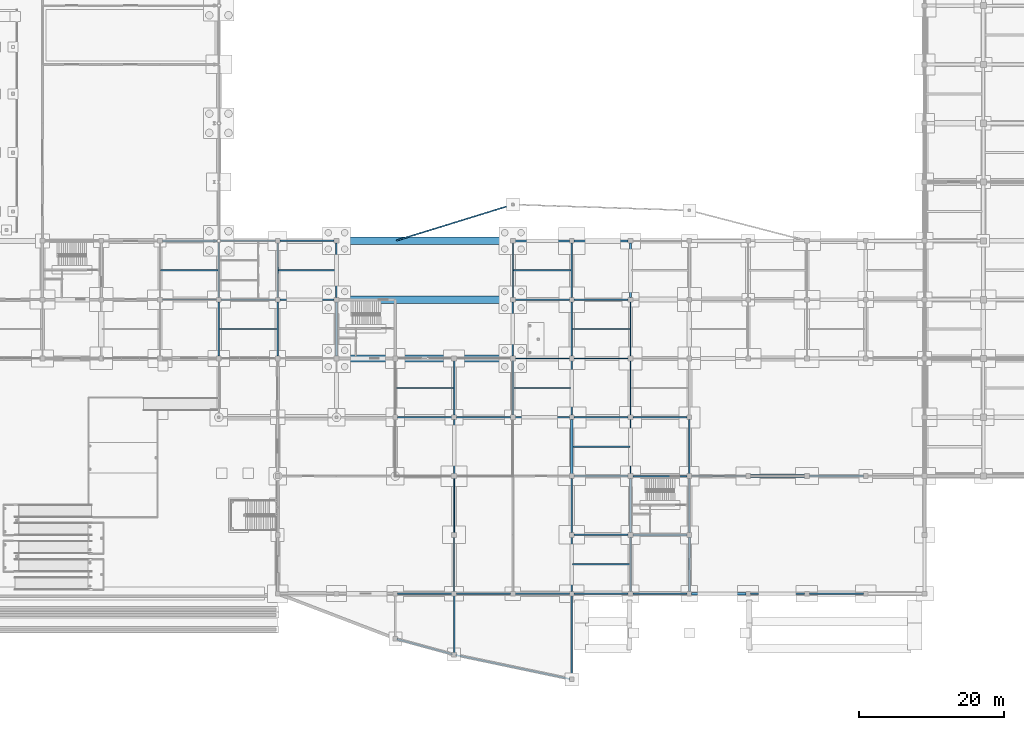
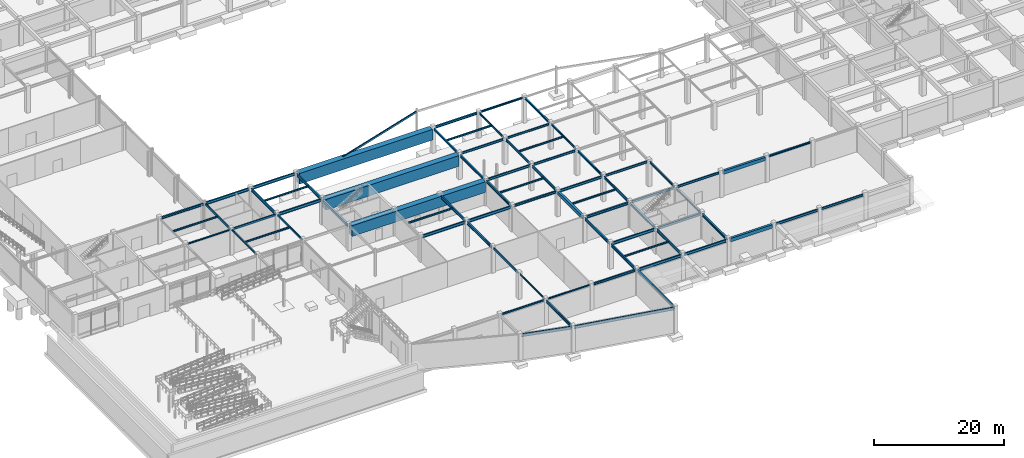
# One storey, part 37 of 67: 77 beams.
"""IFC4 building model written with IfcOpenShell, lengths in metres."""

from ifc_helpers import new_model, si_unit, direction, frame, origin, origin_2d, place, context, subcontext, project, spatial, rectangle, hollow_rectangle, i_section, extrude, material, material_profile, profile_set, type_object, element, save


model = new_model("IFC4")

# Units and contexts
model_context = context("Model", 3, precision=1e-05, world=origin(), true_north=direction((0.0, 1.0)))
body_context = subcontext(model_context, "Body", "Model", "MODEL_VIEW")
ifc_project = project(units=[si_unit("LENGTHUNIT", "METRE"), si_unit("AREAUNIT", "SQUARE_METRE"), si_unit("VOLUMEUNIT", "CUBIC_METRE"), si_unit("PLANEANGLEUNIT", "RADIAN"), si_unit("MASSUNIT", "GRAM", prefix="KILO")], contexts=[model_context])

# Site, building, storey
site_placement = place(None, origin())
site = spatial("IfcSite", under=ifc_project, at=site_placement, CompositionType="ELEMENT")
building_placement = place(site_placement, origin())
building = spatial("IfcBuilding", under=site, at=building_placement, Name="Vaudrelin Polytechnic", CompositionType="ELEMENT")
storey_placement = place(building_placement, frame((0.0, 0.0, -5.10009765625)))
storey = spatial("IfcBuildingStorey", under=building, at=storey_placement, Name="B1", CompositionType="ELEMENT", Elevation=-5.10009765625)

# Beams
ifc_material_1 = material(Name="Steel CSA G40.21 350W", Category="steel")
ifc_material_profile_1 = material_profile(ifc_material_1, i_section(OverallWidth=0.178955078125, OverallDepth=0.409912109375, WebThickness=0.0087890625, FlangeThickness=0.014404296875, FilletRadius=0.01611328125, at=origin_2d()), Name="W410x67")
ifc_profile_set_1 = profile_set([ifc_material_profile_1], Name="Steel CSA G40.21 350W")
beam_type_1 = type_object("IfcBeamType", Name="BM-BM-W410", PredefinedType="BEAM", material=ifc_profile_set_1)
for number, where, z_axis, x_axis, name in (
    (1, (72.89990234375, 40.81005859375, 4.47509765625), (0.0, 1.0, 0.0), (-1.0, 0.0, 0.0), "B1 Y-beam 10-6"),
    (2, (81.0, 32.7099609375, 4.5751953125), (0.0, 1.0, 0.0), (-1.0, 0.0, 0.0), "B1 Y-beam 11-5"),
    (3, (89.10009765625, 24.610107421875, 4.53515625), (0.0, 1.0, 0.0), (-1.0, 0.0, 0.0), "B1 Y-beam 12-4"),
    (4, (97.199951171875, 16.510009765625, 4.53515625), (0.0, 1.0, 0.0), (-1.0, 0.0, 0.0), "B1 Y-beam 13-3"),
):
    element("IfcBeam", number, at=place(storey_placement, frame(where, z_axis=z_axis, x_axis=x_axis)), inside=storey, type_object=beam_type_1, Name=name, PredefinedType="BEAM", context=body_context, shape_type="SweptSolid", body=[
        extrude(i_section(OverallWidth=0.178955078125, OverallDepth=0.409912109375, WebThickness=0.0087890625, FlangeThickness=0.014404296875, FilletRadius=0.01611328125, at=origin_2d()), origin(), (0.0, 0.0, 1.0), 7.47998046875),
    ])
for number, where, z_axis, x_axis, name in (
    (5, (73.220947265625, 40.5, 4.5751953125), (1.0, 0.0, 0.0), (0.0, 1.0, 0.0), "B1 X-beam 10-6"),
    (6, (81.321044921875, 32.39990234375, 4.53515625), (1.0, 0.0, 0.0), (0.0, 1.0, 0.0), "B1 X-beam 11-5"),
    (7, (89.4208984375, 24.300048828125, 4.53515625), (1.0, 0.0, 0.0), (0.0, 1.0, 0.0), "B1 X-beam 12-4"),
    (8, (97.52099609375, 16.199951171875, 4.53515625), (1.0, 0.0, 0.0), (0.0, 1.0, 0.0), "B1 X-beam 13-3"),
    (9, (113.720947265625, 0.0, 4.53515625), (1.0, 0.0, 0.0), (0.0, 1.0, 0.0), "B1 X-beam 15-1"),
):
    element("IfcBeam", number, at=place(storey_placement, frame(where, z_axis=z_axis, x_axis=x_axis)), inside=storey, type_object=beam_type_1, Name=name, PredefinedType="BEAM", context=body_context, shape_type="SweptSolid", body=[
        extrude(i_section(OverallWidth=0.178955078125, OverallDepth=0.409912109375, WebThickness=0.0087890625, FlangeThickness=0.014404296875, FilletRadius=0.01611328125, at=origin_2d()), origin(), (0.0, 0.0, 1.0), 7.4580078125),
    ])
ifc_material_2 = material(Name="Steel CSA G40.21 350WT", Category="steel")
ifc_material_profile_2 = material_profile(ifc_material_2, i_section(OverallWidth=0.260009765625, OverallDepth=0.4150390625, WebThickness=0.010009765625, FlangeThickness=0.016845703125, FilletRadius=0.01611328125, at=origin_2d()), Name="W410x100")
ifc_profile_set_2 = profile_set([ifc_material_profile_2], Name="Steel CSA G40.21 350WT")
beam_type_2 = type_object("IfcBeamType", Name="BM-BM-W410H", PredefinedType="SPANDREL", material=ifc_profile_set_2)
beam_1_placement = place(storey_placement, frame((24.62109375, 48.60009765625, 4.5126953125), z_axis=(1.0, 0.0, 0.0), x_axis=(0.0, 1.0, 0.0)))
element("IfcBeam", 10, at=beam_1_placement, inside=storey, type_object=beam_type_2, Name="B1 X-beam 4-7", PredefinedType="SPANDREL", context=body_context, shape_type="SweptSolid", body=[
    extrude(i_section(OverallWidth=0.260009765625, OverallDepth=0.4150390625, WebThickness=0.010009765625, FlangeThickness=0.016845703125, FilletRadius=0.01611328125, at=origin_2d()), origin(), (0.0, 0.0, 1.0), 7.52880859375),
])
for number, where, z_axis, x_axis, name in (
    (11, (73.220947265625, 0.0, 4.572509765625), (1.0, 0.0, 0.0), (0.0, 1.0, 0.0), "B1 X-beam 10-1"),
    (12, (73.220947265625, 24.300048828125, 4.572509765625), (1.0, 0.0, 0.0), (0.0, 1.0, 0.0), "B1 X-beam 10-4"),
    (13, (73.220947265625, 48.60009765625, 4.572509765625), (1.0, 0.0, 0.0), (0.0, 1.0, 0.0), "B1 X-beam 10-7"),
):
    element("IfcBeam", number, at=place(storey_placement, frame(where, z_axis=z_axis, x_axis=x_axis)), inside=storey, type_object=beam_type_2, Name=name, PredefinedType="SPANDREL", context=body_context, shape_type="SweptSolid", body=[
        extrude(i_section(OverallWidth=0.260009765625, OverallDepth=0.4150390625, WebThickness=0.010009765625, FlangeThickness=0.016845703125, FilletRadius=0.01611328125, at=origin_2d()), origin(), (0.0, 0.0, 1.0), 7.4580078125),
    ])
ifc_material_profile_3 = material_profile(ifc_material_2, i_section(OverallWidth=0.19091796875, OverallDepth=0.4599609375, WebThickness=0.010009765625, FlangeThickness=0.01611328125, FilletRadius=0.01806640625, at=origin_2d()), Name="W460x82")
ifc_profile_set_3 = profile_set([ifc_material_profile_3], Name="Steel CSA G40.21 350WT")
beam_type_3 = type_object("IfcBeamType", Name="BM-BM-W460", PredefinedType="BEAM", material=ifc_profile_set_3)
for number, where, z_axis, x_axis, name in (
    (14, (72.89990234375, 32.7099609375, 4.4501953125), (0.0, 1.0, 0.0), (-1.0, 0.0, 0.0), "B1 Y-beam 10-5"),
    (15, (81.0, 24.610107421875, 4.510009765625), (0.0, 1.0, 0.0), (-1.0, 0.0, 0.0), "B1 Y-beam 11-4"),
    (16, (89.10009765625, 16.510009765625, 4.510009765625), (0.0, 1.0, 0.0), (-1.0, 0.0, 0.0), "B1 Y-beam 12-3"),
    (17, (97.199951171875, 8.409912109375, 4.510009765625), (0.0, 1.0, 0.0), (-1.0, 0.0, 0.0), "B1 Y-beam 13-2"),
):
    element("IfcBeam", number, at=place(storey_placement, frame(where, z_axis=z_axis, x_axis=x_axis)), inside=storey, type_object=beam_type_3, Name=name, PredefinedType="BEAM", context=body_context, shape_type="SweptSolid", body=[
        extrude(i_section(OverallWidth=0.19091796875, OverallDepth=0.4599609375, WebThickness=0.010009765625, FlangeThickness=0.01611328125, FilletRadius=0.01806640625, at=origin_2d()), origin(), (0.0, 0.0, 1.0), 7.47998046875),
    ])
for number, where, z_axis, x_axis, name in (
    (18, (73.220947265625, 32.39990234375, 4.550048828125), (1.0, 0.0, 0.0), (0.0, 1.0, 0.0), "B1 X-beam 10-5"),
    (19, (81.321044921875, 24.300048828125, 4.510009765625), (1.0, 0.0, 0.0), (0.0, 1.0, 0.0), "B1 X-beam 11-4"),
    (20, (89.4208984375, 16.199951171875, 4.510009765625), (1.0, 0.0, 0.0), (0.0, 1.0, 0.0), "B1 X-beam 12-3"),
    (21, (105.62109375, 0.0, 4.510009765625), (1.0, 0.0, 0.0), (0.0, 1.0, 0.0), "B1 X-beam 14-1"),
):
    element("IfcBeam", number, at=place(storey_placement, frame(where, z_axis=z_axis, x_axis=x_axis)), inside=storey, type_object=beam_type_3, Name=name, PredefinedType="BEAM", context=body_context, shape_type="SweptSolid", body=[
        extrude(i_section(OverallWidth=0.19091796875, OverallDepth=0.4599609375, WebThickness=0.010009765625, FlangeThickness=0.01611328125, FilletRadius=0.01806640625, at=origin_2d()), origin(), (0.0, 0.0, 1.0), 7.4580078125),
    ])
ifc_material_profile_4 = material_profile(ifc_material_1, i_section(OverallWidth=0.280029296875, OverallDepth=0.462890625, WebThickness=0.0107421875, FlangeThickness=0.017333984375, FilletRadius=0.01806640625, at=origin_2d()), Name="W460x113")
ifc_profile_set_4 = profile_set([ifc_material_profile_4], Name="Steel CSA G40.21 350W")
beam_type_4 = type_object("IfcBeamType", Name="BM-BM-W460H", PredefinedType="BEAM", material=ifc_profile_set_4)
for number, where, z_axis, x_axis, name in (
    (22, (72.89990234375, 24.610107421875, 4.548583984375), (0.0, 1.0, 0.0), (-1.0, 0.0, 0.0), "B1 Y-beam 10-4"),
    (23, (89.10009765625, 8.409912109375, 4.508544921875), (0.0, 1.0, 0.0), (-1.0, 0.0, 0.0), "B1 Y-beam 12-2"),
    (24, (97.199951171875, 0.31005859375, 4.508544921875), (0.0, 1.0, 0.0), (-1.0, 0.0, 0.0), "B1 Y-beam 13-1"),
):
    element("IfcBeam", number, at=place(storey_placement, frame(where, z_axis=z_axis, x_axis=x_axis)), inside=storey, type_object=beam_type_4, Name=name, PredefinedType="BEAM", context=body_context, shape_type="SweptSolid", body=[
        extrude(i_section(OverallWidth=0.280029296875, OverallDepth=0.462890625, WebThickness=0.0107421875, FlangeThickness=0.017333984375, FilletRadius=0.01806640625, at=origin_2d()), origin(), (0.0, 0.0, 1.0), 7.47998046875),
    ])
for number, where, z_axis, x_axis, name in (
    (25, (81.321044921875, 16.199951171875, 4.508544921875), (1.0, 0.0, 0.0), (0.0, 1.0, 0.0), "B1 X-beam 11-3"),
    (26, (89.4208984375, 8.10009765625, 4.508544921875), (1.0, 0.0, 0.0), (0.0, 1.0, 0.0), "B1 X-beam 12-2"),
):
    element("IfcBeam", number, at=place(storey_placement, frame(where, z_axis=z_axis, x_axis=x_axis)), inside=storey, type_object=beam_type_4, Name=name, PredefinedType="BEAM", context=body_context, shape_type="SweptSolid", body=[
        extrude(i_section(OverallWidth=0.280029296875, OverallDepth=0.462890625, WebThickness=0.0107421875, FlangeThickness=0.017333984375, FilletRadius=0.01806640625, at=origin_2d()), origin(), (0.0, 0.0, 1.0), 7.4580078125),
    ])
ifc_material_profile_5 = material_profile(ifc_material_1, i_section(OverallWidth=0.208984375, OverallDepth=0.532958984375, WebThickness=0.01025390625, FlangeThickness=0.015625, FilletRadius=0.01904296875, at=origin_2d()), Name="W530x92")
ifc_profile_set_5 = profile_set([ifc_material_profile_5], Name="Steel CSA G40.21 350W")
beam_type_5 = type_object("IfcBeamType", Name="BM-BM-W530", PredefinedType="BEAM", material=ifc_profile_set_5)
for number, where, z_axis, x_axis, name in (
    (27, (48.60009765625, 40.81005859375, 4.41357421875), (0.0, 1.0, 0.0), (-1.0, 0.0, 0.0), "B1 Y-beam 7-6"),
    (28, (64.800048828125, 24.610107421875, 4.513671875), (0.0, 1.0, 0.0), (-1.0, 0.0, 0.0), "B1 Y-beam 9-4"),
    (29, (81.0, 8.409912109375, 4.4736328125), (0.0, 1.0, 0.0), (-1.0, 0.0, 0.0), "B1 Y-beam 11-2"),
    (30, (89.10009765625, 0.31005859375, 4.4736328125), (0.0, 1.0, 0.0), (-1.0, 0.0, 0.0), "B1 Y-beam 12-1"),
):
    element("IfcBeam", number, at=place(storey_placement, frame(where, z_axis=z_axis, x_axis=x_axis)), inside=storey, type_object=beam_type_5, Name=name, PredefinedType="BEAM", context=body_context, shape_type="SweptSolid", body=[
        extrude(i_section(OverallWidth=0.208984375, OverallDepth=0.532958984375, WebThickness=0.01025390625, FlangeThickness=0.015625, FilletRadius=0.01904296875, at=origin_2d()), origin(), (0.0, 0.0, 1.0), 7.47998046875),
    ])
for number, where, z_axis, x_axis, name in (
    (31, (40.821044921875, 48.60009765625, 4.513671875), (1.0, 0.0, 0.0), (0.0, 1.0, 0.0), "B1 X-beam 6-7"),
    (32, (65.12109375, 24.300048828125, 4.513671875), (1.0, 0.0, 0.0), (0.0, 1.0, 0.0), "B1 X-beam 9-4"),
    (33, (81.321044921875, 8.10009765625, 4.4736328125), (1.0, 0.0, 0.0), (0.0, 1.0, 0.0), "B1 X-beam 11-2"),
    (34, (89.4208984375, 0.0, 4.4736328125), (1.0, 0.0, 0.0), (0.0, 1.0, 0.0), "B1 X-beam 12-1"),
):
    element("IfcBeam", number, at=place(storey_placement, frame(where, z_axis=z_axis, x_axis=x_axis)), inside=storey, type_object=beam_type_5, Name=name, PredefinedType="BEAM", context=body_context, shape_type="SweptSolid", body=[
        extrude(i_section(OverallWidth=0.208984375, OverallDepth=0.532958984375, WebThickness=0.01025390625, FlangeThickness=0.015625, FilletRadius=0.01904296875, at=origin_2d()), origin(), (0.0, 0.0, 1.0), 7.4580078125),
    ])
beam_2_placement = place(storey_placement, frame((64.800048828125, -8.179931640625, 4.513671875), z_axis=(0.0, 1.0, 0.0), x_axis=(-1.0, 0.0, 0.0)))
element("IfcBeam", 35, at=beam_2_placement, inside=storey, type_object=beam_type_5, Name="Sculptural edge beam B1 V2P_TIE_8", PredefinedType="BEAM", context=body_context, shape_type="SweptSolid", body=[
    extrude(i_section(OverallWidth=0.208984375, OverallDepth=0.532958984375, WebThickness=0.01025390625, FlangeThickness=0.015625, FilletRadius=0.01904296875, at=origin_2d()), origin(), (0.0, 0.0, 1.0), 7.9599609375),
])
ifc_material_profile_6 = material_profile(ifc_material_1, i_section(OverallWidth=0.214111328125, OverallDepth=0.549072265625, WebThickness=0.0146484375, FlangeThickness=0.023681640625, FilletRadius=0.01904296875, at=origin_2d()), Name="W530x138")
ifc_profile_set_6 = profile_set([ifc_material_profile_6], Name="Steel CSA G40.21 350W")
beam_type_6 = type_object("IfcBeamType", Name="BM-BM-W530H", PredefinedType="BEAM", material=ifc_profile_set_6)
for number, where, z_axis, x_axis, name in (
    (36, (40.5, 40.81005859375, 4.505615234375), (0.0, 1.0, 0.0), (-1.0, 0.0, 0.0), "B1 Y-beam 6-6"),
    (37, (48.60009765625, 32.7099609375, 4.405517578125), (0.0, 1.0, 0.0), (-1.0, 0.0, 0.0), "B1 Y-beam 7-5"),
    (38, (64.800048828125, 16.510009765625, 4.505615234375), (0.0, 1.0, 0.0), (-1.0, 0.0, 0.0), "B1 Y-beam 9-3"),
    (39, (81.0, 0.31005859375, 4.465576171875), (0.0, 1.0, 0.0), (-1.0, 0.0, 0.0), "B1 Y-beam 11-1"),
):
    element("IfcBeam", number, at=place(storey_placement, frame(where, z_axis=z_axis, x_axis=x_axis)), inside=storey, type_object=beam_type_6, Name=name, PredefinedType="BEAM", context=body_context, shape_type="SweptSolid", body=[
        extrude(i_section(OverallWidth=0.214111328125, OverallDepth=0.549072265625, WebThickness=0.0146484375, FlangeThickness=0.023681640625, FilletRadius=0.01904296875, at=origin_2d()), origin(), (0.0, 0.0, 1.0), 7.47998046875),
    ])
beam_3_placement = place(storey_placement, frame((32.64990234375, 48.60009765625, 4.505615234375), z_axis=(1.0, 0.0, 0.0), x_axis=(0.0, 1.0, 0.0)))
element("IfcBeam", 40, at=beam_3_placement, inside=storey, type_object=beam_type_6, Name="B1 X-beam 5-7", PredefinedType="BEAM", context=body_context, shape_type="SweptSolid", body=[
    extrude(i_section(OverallWidth=0.214111328125, OverallDepth=0.549072265625, WebThickness=0.0146484375, FlangeThickness=0.023681640625, FilletRadius=0.01904296875, at=origin_2d()), origin(), (0.0, 0.0, 1.0), 7.529052734375),
])
for number, where, z_axis, x_axis, name in (
    (41, (40.821044921875, 40.5, 4.505615234375), (1.0, 0.0, 0.0), (0.0, 1.0, 0.0), "B1 X-beam 6-6"),
    (42, (57.02099609375, 24.300048828125, 4.505615234375), (1.0, 0.0, 0.0), (0.0, 1.0, 0.0), "B1 X-beam 8-4"),
    (43, (81.321044921875, 0.0, 4.465576171875), (1.0, 0.0, 0.0), (0.0, 1.0, 0.0), "B1 X-beam 11-1"),
):
    element("IfcBeam", number, at=place(storey_placement, frame(where, z_axis=z_axis, x_axis=x_axis)), inside=storey, type_object=beam_type_6, Name=name, PredefinedType="BEAM", context=body_context, shape_type="SweptSolid", body=[
        extrude(i_section(OverallWidth=0.214111328125, OverallDepth=0.549072265625, WebThickness=0.0146484375, FlangeThickness=0.023681640625, FilletRadius=0.01904296875, at=origin_2d()), origin(), (0.0, 0.0, 1.0), 7.4580078125),
    ])
beam_4_placement = place(storey_placement, frame((56.912353515625, -6.2578125, 4.505615234375), z_axis=(0.965043793818, -0.262088679675, 0.0), x_axis=(0.262088679675, 0.965043793818, 0.0)))
element("IfcBeam", 44, at=beam_4_placement, inside=storey, type_object=beam_type_6, Name="Sculptural edge beam B1 V2P_BM_2", PredefinedType="BEAM", context=body_context, shape_type="SweptSolid", body=[
    extrude(i_section(OverallWidth=0.214111328125, OverallDepth=0.549072265625, WebThickness=0.0146484375, FlangeThickness=0.023681640625, FilletRadius=0.01904296875, at=origin_2d()), origin(), (0.0, 0.0, 1.0), 7.953369140625),
])
beam_5_placement = place(storey_placement, frame((65.015380859375, -8.4453125, 4.505615234375), z_axis=(0.978678204829, -0.205399540875, 0.0), x_axis=(0.205399540875, 0.978678204829, 0.0)))
element("IfcBeam", 45, at=beam_5_placement, inside=storey, type_object=beam_type_6, Name="Sculptural edge beam B1 V2P_BM_3", PredefinedType="BEAM", context=body_context, shape_type="SweptSolid", body=[
    extrude(i_section(OverallWidth=0.214111328125, OverallDepth=0.549072265625, WebThickness=0.0146484375, FlangeThickness=0.023681640625, FilletRadius=0.01904296875, at=origin_2d()), origin(), (0.0, 0.0, 1.0), 16.11279296875),
])
beam_6_placement = place(storey_placement, frame((81.0, -11.580078125, 4.505615234375), z_axis=(0.0, 1.0, 0.0), x_axis=(-1.0, 0.0, 0.0)))
element("IfcBeam", 46, at=beam_6_placement, inside=storey, type_object=beam_type_6, Name="Sculptural edge beam B1 V2P_BM_4", PredefinedType="BEAM", context=body_context, shape_type="SweptSolid", body=[
    extrude(i_section(OverallWidth=0.214111328125, OverallDepth=0.549072265625, WebThickness=0.0146484375, FlangeThickness=0.023681640625, FilletRadius=0.01904296875, at=origin_2d()), origin(), (0.0, 0.0, 1.0), 11.360107421875),
])
ifc_material_profile_7 = material_profile(ifc_material_1, i_section(OverallWidth=0.14794921875, OverallDepth=0.26611328125, WebThickness=0.007568359375, FlangeThickness=0.012939453125, FilletRadius=0.012939453125, at=origin_2d()), Name="W250x45")
ifc_profile_set_7 = profile_set([ifc_material_profile_7], Name="Steel CSA G40.21 350W")
beam_type_7 = type_object("IfcBeamType", Name="BM-JS-W250", PredefinedType="JOIST", material=ifc_profile_set_7)
beam_7_placement = place(storey_placement, frame((64.800048828125, 0.31005859375, 4.647216796875), z_axis=(0.0, 1.0, 0.0), x_axis=(-1.0, 0.0, 0.0)))
element("IfcBeam", 47, at=beam_7_placement, inside=storey, type_object=beam_type_7, Name="B1 Y-beam 9-1", PredefinedType="JOIST", context=body_context, shape_type="SweptSolid", body=[
    extrude(i_section(OverallWidth=0.14794921875, OverallDepth=0.26611328125, WebThickness=0.007568359375, FlangeThickness=0.012939453125, FilletRadius=0.012939453125, at=origin_2d()), origin(), (0.0, 0.0, 1.0), 7.47998046875),
])
for number, where, z_axis, x_axis, name in (
    (48, (24.62109375, 40.5, 4.587158203125), (1.0, 0.0, 0.0), (0.0, 1.0, 0.0), "B1 X-beam 4-6"),
    (49, (65.12109375, 0.0, 4.647216796875), (1.0, 0.0, 0.0), (0.0, 1.0, 0.0), "B1 X-beam 9-1"),
):
    element("IfcBeam", number, at=place(storey_placement, frame(where, z_axis=z_axis, x_axis=x_axis)), inside=storey, type_object=beam_type_7, Name=name, PredefinedType="JOIST", context=body_context, shape_type="SweptSolid", body=[
        extrude(i_section(OverallWidth=0.14794921875, OverallDepth=0.26611328125, WebThickness=0.007568359375, FlangeThickness=0.012939453125, FilletRadius=0.012939453125, at=origin_2d()), origin(), (0.0, 0.0, 1.0), 7.4580078125),
    ])
ifc_material_profile_8 = material_profile(ifc_material_1, i_section(OverallWidth=0.1669921875, OverallDepth=0.31689453125, WebThickness=0.007568359375, FlangeThickness=0.01318359375, FilletRadius=0.013916015625, at=origin_2d()), Name="W310x52")
ifc_profile_set_8 = profile_set([ifc_material_profile_8], Name="Steel CSA G40.21 350W")
beam_type_8 = type_object("IfcBeamType", Name="BM-JS-W310", PredefinedType="JOIST", material=ifc_profile_set_8)
beam_8_placement = place(storey_placement, frame((24.3701171875, 44.550048828125, 4.5615234375), z_axis=(1.0, 0.0, 0.0), x_axis=(0.0, 1.0, 0.0)))
element("IfcBeam", 50, at=beam_8_placement, inside=storey, type_object=beam_type_8, Name="B1 floor joist 4-6", PredefinedType="JOIST", context=body_context, shape_type="SweptSolid", body=[
    extrude(i_section(OverallWidth=0.1669921875, OverallDepth=0.31689453125, WebThickness=0.007568359375, FlangeThickness=0.01318359375, FilletRadius=0.013916015625, at=origin_2d()), origin(), (0.0, 0.0, 1.0), 7.932373046875),
])
beam_9_placement = place(storey_placement, frame((32.49755859375, 36.449951171875, 4.62158203125), z_axis=(1.0, 0.0, 0.0), x_axis=(0.0, 1.0, 0.0)))
element("IfcBeam", 51, at=beam_9_placement, inside=storey, type_object=beam_type_8, Name="B1 floor joist 5-5", PredefinedType="JOIST", context=body_context, shape_type="SweptSolid", body=[
    extrude(i_section(OverallWidth=0.1669921875, OverallDepth=0.31689453125, WebThickness=0.007568359375, FlangeThickness=0.01318359375, FilletRadius=0.013916015625, at=origin_2d()), origin(), (0.0, 0.0, 1.0), 7.905029296875),
])
beam_10_placement = place(storey_placement, frame((40.60302734375, 44.550048828125, 4.62158203125), z_axis=(1.0, 0.0, 0.0), x_axis=(0.0, 1.0, 0.0)))
element("IfcBeam", 52, at=beam_10_placement, inside=storey, type_object=beam_type_8, Name="B1 floor joist 6-6", PredefinedType="JOIST", context=body_context, shape_type="SweptSolid", body=[
    extrude(i_section(OverallWidth=0.1669921875, OverallDepth=0.31689453125, WebThickness=0.007568359375, FlangeThickness=0.01318359375, FilletRadius=0.013916015625, at=origin_2d()), origin(), (0.0, 0.0, 1.0), 7.896484375),
])
beam_11_placement = place(storey_placement, frame((57.02099609375, 0.0, 4.62158203125), z_axis=(1.0, 0.0, 0.0), x_axis=(0.0, 1.0, 0.0)))
element("IfcBeam", 53, at=beam_11_placement, inside=storey, type_object=beam_type_8, Name="B1 X-beam 8-1", PredefinedType="JOIST", context=body_context, shape_type="SweptSolid", body=[
    extrude(i_section(OverallWidth=0.1669921875, OverallDepth=0.31689453125, WebThickness=0.007568359375, FlangeThickness=0.01318359375, FilletRadius=0.013916015625, at=origin_2d()), origin(), (0.0, 0.0, 1.0), 7.4580078125),
])
beam_12_placement = place(storey_placement, frame((56.802978515625, 28.35009765625, 4.62158203125), z_axis=(1.0, 0.0, 0.0), x_axis=(0.0, 1.0, 0.0)))
element("IfcBeam", 54, at=beam_12_placement, inside=storey, type_object=beam_type_8, Name="B1 floor joist 8-4", PredefinedType="JOIST", context=body_context, shape_type="SweptSolid", body=[
    extrude(i_section(OverallWidth=0.1669921875, OverallDepth=0.31689453125, WebThickness=0.007568359375, FlangeThickness=0.01318359375, FilletRadius=0.013916015625, at=origin_2d()), origin(), (0.0, 0.0, 1.0), 7.896484375),
])
beam_13_placement = place(storey_placement, frame((73.035888671875, 28.35009765625, 4.62158203125), z_axis=(1.0, 0.0, 0.0), x_axis=(0.0, 1.0, 0.0)))
element("IfcBeam", 55, at=beam_13_placement, inside=storey, type_object=beam_type_8, Name="B1 floor joist 10-4", PredefinedType="JOIST", context=body_context, shape_type="SweptSolid", body=[
    extrude(i_section(OverallWidth=0.1669921875, OverallDepth=0.31689453125, WebThickness=0.007568359375, FlangeThickness=0.01318359375, FilletRadius=0.013916015625, at=origin_2d()), origin(), (0.0, 0.0, 1.0), 7.87255859375),
])
beam_14_placement = place(storey_placement, frame((72.985595703125, 44.550048828125, 4.62158203125), z_axis=(1.0, 0.0, 0.0), x_axis=(0.0, 1.0, 0.0)))
element("IfcBeam", 56, at=beam_14_placement, inside=storey, type_object=beam_type_8, Name="B1 floor joist 10-6", PredefinedType="JOIST", context=body_context, shape_type="SweptSolid", body=[
    extrude(i_section(OverallWidth=0.1669921875, OverallDepth=0.31689453125, WebThickness=0.007568359375, FlangeThickness=0.01318359375, FilletRadius=0.013916015625, at=origin_2d()), origin(), (0.0, 0.0, 1.0), 7.932373046875),
])
beam_15_placement = place(storey_placement, frame((81.10302734375, 4.050048828125, 4.58154296875), z_axis=(1.0, 0.0, 0.0), x_axis=(0.0, 1.0, 0.0)))
element("IfcBeam", 57, at=beam_15_placement, inside=storey, type_object=beam_type_8, Name="B1 floor joist 11-1", PredefinedType="JOIST", context=body_context, shape_type="SweptSolid", body=[
    extrude(i_section(OverallWidth=0.1669921875, OverallDepth=0.31689453125, WebThickness=0.007568359375, FlangeThickness=0.01318359375, FilletRadius=0.013916015625, at=origin_2d()), origin(), (0.0, 0.0, 1.0), 7.896484375),
])
beam_16_placement = place(storey_placement, frame((81.196044921875, 20.25, 4.58154296875), z_axis=(1.0, 0.0, 0.0), x_axis=(0.0, 1.0, 0.0)))
element("IfcBeam", 58, at=beam_16_placement, inside=storey, type_object=beam_type_8, Name="B1 floor joist 11-3", PredefinedType="JOIST", context=body_context, shape_type="SweptSolid", body=[
    extrude(i_section(OverallWidth=0.1669921875, OverallDepth=0.31689453125, WebThickness=0.007568359375, FlangeThickness=0.01318359375, FilletRadius=0.013916015625, at=origin_2d()), origin(), (0.0, 0.0, 1.0), 7.8125),
])
beam_17_placement = place(storey_placement, frame((81.08544921875, 36.449951171875, 4.62158203125), z_axis=(1.0, 0.0, 0.0), x_axis=(0.0, 1.0, 0.0)))
element("IfcBeam", 59, at=beam_17_placement, inside=storey, type_object=beam_type_8, Name="B1 floor joist 11-5", PredefinedType="JOIST", context=body_context, shape_type="SweptSolid", body=[
    extrude(i_section(OverallWidth=0.1669921875, OverallDepth=0.31689453125, WebThickness=0.007568359375, FlangeThickness=0.01318359375, FilletRadius=0.013916015625, at=origin_2d()), origin(), (0.0, 0.0, 1.0), 7.9326171875),
])
ifc_material_profile_9 = material_profile(ifc_material_2, i_section(OverallWidth=0.25390625, OverallDepth=0.305908203125, WebThickness=0.0087890625, FlangeThickness=0.0146484375, FilletRadius=0.01611328125, at=origin_2d()), Name="W310x79")
ifc_profile_set_9 = profile_set([ifc_material_profile_9], Name="Steel CSA G40.21 350WT")
beam_type_9 = type_object("IfcBeamType", Name="BM-JS-W310H", PredefinedType="SPANDREL", material=ifc_profile_set_9)
beam_18_placement = place(storey_placement, frame((89.10009765625, 40.81005859375, 4.627197265625), z_axis=(0.0, 1.0, 0.0), x_axis=(-1.0, 0.0, 0.0)))
element("IfcBeam", 60, at=beam_18_placement, inside=storey, type_object=beam_type_9, Name="B1 Y-beam 12-6", PredefinedType="SPANDREL", context=body_context, shape_type="SweptSolid", body=[
    extrude(i_section(OverallWidth=0.25390625, OverallDepth=0.305908203125, WebThickness=0.0087890625, FlangeThickness=0.0146484375, FilletRadius=0.01611328125, at=origin_2d()), origin(), (0.0, 0.0, 1.0), 7.47998046875),
])
for number, where, z_axis, x_axis, name in (
    (61, (81.321044921875, 48.60009765625, 4.627197265625), (1.0, 0.0, 0.0), (0.0, 1.0, 0.0), "B1 X-beam 11-7"),
    (62, (113.720947265625, 16.199951171875, 4.587158203125), (1.0, 0.0, 0.0), (0.0, 1.0, 0.0), "B1 X-beam 15-3"),
):
    element("IfcBeam", number, at=place(storey_placement, frame(where, z_axis=z_axis, x_axis=x_axis)), inside=storey, type_object=beam_type_9, Name=name, PredefinedType="SPANDREL", context=body_context, shape_type="SweptSolid", body=[
        extrude(i_section(OverallWidth=0.25390625, OverallDepth=0.305908203125, WebThickness=0.0087890625, FlangeThickness=0.0146484375, FilletRadius=0.01611328125, at=origin_2d()), origin(), (0.0, 0.0, 1.0), 7.4580078125),
    ])
ifc_material_profile_10 = material_profile(ifc_material_1, i_section(OverallWidth=0.172119140625, OverallDepth=0.35791015625, WebThickness=0.0078125, FlangeThickness=0.01318359375, FilletRadius=0.014892578125, at=origin_2d()), Name="W360x57")
ifc_profile_set_10 = profile_set([ifc_material_profile_10], Name="Steel CSA G40.21 350W")
beam_type_10 = type_object("IfcBeamType", Name="BM-JS-W360", PredefinedType="JOIST", material=ifc_profile_set_10)
for number, where, z_axis, x_axis, name in (
    (63, (81.0, 40.81005859375, 4.60107421875), (0.0, 1.0, 0.0), (-1.0, 0.0, 0.0), "B1 Y-beam 11-6"),
    (64, (89.10009765625, 32.7099609375, 4.60107421875), (0.0, 1.0, 0.0), (-1.0, 0.0, 0.0), "B1 Y-beam 12-5"),
):
    element("IfcBeam", number, at=place(storey_placement, frame(where, z_axis=z_axis, x_axis=x_axis)), inside=storey, type_object=beam_type_10, Name=name, PredefinedType="JOIST", context=body_context, shape_type="SweptSolid", body=[
        extrude(i_section(OverallWidth=0.172119140625, OverallDepth=0.35791015625, WebThickness=0.0078125, FlangeThickness=0.01318359375, FilletRadius=0.014892578125, at=origin_2d()), origin(), (0.0, 0.0, 1.0), 7.47998046875),
    ])
beam_19_placement = place(storey_placement, frame((81.321044921875, 40.5, 4.60107421875), z_axis=(1.0, 0.0, 0.0), x_axis=(0.0, 1.0, 0.0)))
element("IfcBeam", 65, at=beam_19_placement, inside=storey, type_object=beam_type_10, Name="B1 X-beam 11-6", PredefinedType="JOIST", context=body_context, shape_type="SweptSolid", body=[
    extrude(i_section(OverallWidth=0.172119140625, OverallDepth=0.35791015625, WebThickness=0.0078125, FlangeThickness=0.01318359375, FilletRadius=0.014892578125, at=origin_2d()), origin(), (0.0, 0.0, 1.0), 7.4580078125),
])
ifc_material_profile_11 = material_profile(ifc_material_2, hollow_rectangle(XDim=0.202880859375, YDim=0.304931640625, WallThickness=0.010986328125, InnerFilletRadius=0.010986328125, OuterFilletRadius=0.022216796875, at=origin_2d()), Name="HSS305x203x11.1")
ifc_profile_set_11 = profile_set([ifc_material_profile_11], Name="Steel CSA G40.21 350WT")
beam_type_11 = type_object("IfcBeamType", Name="BM-SP-HSS30", PredefinedType="SPANDREL", material=ifc_profile_set_11)
beam_20_placement = place(storey_placement, frame((32.39990234375, 32.7099609375, 4.627685546875), z_axis=(0.0, 1.0, 0.0), x_axis=(-1.0, 0.0, 0.0)))
element("IfcBeam", 66, at=beam_20_placement, inside=storey, type_object=beam_type_11, Name="B1 Y-beam 5-5", PredefinedType="SPANDREL", context=body_context, shape_type="SweptSolid", body=[
    extrude(hollow_rectangle(XDim=0.202880859375, YDim=0.304931640625, WallThickness=0.010986328125, InnerFilletRadius=0.010986328125, OuterFilletRadius=0.022216796875, at=origin_2d()), origin(), (0.0, 0.0, 1.0), 7.47998046875),
])
ifc_material_profile_12 = material_profile(ifc_material_2, hollow_rectangle(XDim=0.202880859375, YDim=0.35595703125, WallThickness=0.0126953125, InnerFilletRadius=0.0126953125, OuterFilletRadius=0.025390625, at=origin_2d()), Name="HSS356x203x12.7")
ifc_profile_set_12 = profile_set([ifc_material_profile_12], Name="Steel CSA G40.21 350WT")
beam_type_12 = type_object("IfcBeamType", Name="BM-SP-HSS35", PredefinedType="SPANDREL", material=ifc_profile_set_12)
beam_21_placement = place(storey_placement, frame((32.39990234375, 40.81005859375, 4.5419921875), z_axis=(0.0, 1.0, 0.0), x_axis=(-1.0, 0.0, 0.0)))
element("IfcBeam", 67, at=beam_21_placement, inside=storey, type_object=beam_type_12, Name="B1 Y-beam 5-6", PredefinedType="SPANDREL", context=body_context, shape_type="SweptSolid", body=[
    extrude(hollow_rectangle(XDim=0.202880859375, YDim=0.35595703125, WallThickness=0.0126953125, InnerFilletRadius=0.0126953125, OuterFilletRadius=0.025390625, at=origin_2d()), origin(), (0.0, 0.0, 1.0), 7.551025390625),
])
for number, where, z_axis, x_axis, name in (
    (68, (40.5, 32.7099609375, 4.60205078125), (0.0, 1.0, 0.0), (-1.0, 0.0, 0.0), "B1 Y-beam 6-5"),
    (69, (64.800048828125, 8.409912109375, 4.60205078125), (0.0, 1.0, 0.0), (-1.0, 0.0, 0.0), "B1 Y-beam 9-2"),
):
    element("IfcBeam", number, at=place(storey_placement, frame(where, z_axis=z_axis, x_axis=x_axis)), inside=storey, type_object=beam_type_12, Name=name, PredefinedType="SPANDREL", context=body_context, shape_type="SweptSolid", body=[
        extrude(hollow_rectangle(XDim=0.202880859375, YDim=0.35595703125, WallThickness=0.0126953125, InnerFilletRadius=0.0126953125, OuterFilletRadius=0.025390625, at=origin_2d()), origin(), (0.0, 0.0, 1.0), 7.47998046875),
    ])
beam_22_placement = place(storey_placement, frame((32.720947265625, 40.5, 4.60205078125), z_axis=(1.0, 0.0, 0.0), x_axis=(0.0, 1.0, 0.0)))
element("IfcBeam", 70, at=beam_22_placement, inside=storey, type_object=beam_type_12, Name="B1 X-beam 5-6", PredefinedType="SPANDREL", context=body_context, shape_type="SweptSolid", body=[
    extrude(hollow_rectangle(XDim=0.202880859375, YDim=0.35595703125, WallThickness=0.0126953125, InnerFilletRadius=0.0126953125, OuterFilletRadius=0.025390625, at=origin_2d()), origin(), (0.0, 0.0, 1.0), 7.4580078125),
])
beam_23_placement = place(storey_placement, frame((56.833740234375, 48.641357421875, 4.60205078125), z_axis=(0.955526338589, 0.294905775227, 0.0), x_axis=(-0.294905775227, 0.955526338589, 0.0)))
element("IfcBeam", 71, at=beam_23_placement, inside=storey, type_object=beam_type_12, Name="Sculptural edge beam B1 CT_OR1_B1", PredefinedType="SPANDREL", context=body_context, shape_type="SweptSolid", body=[
    extrude(hollow_rectangle(XDim=0.202880859375, YDim=0.35595703125, WallThickness=0.0126953125, InnerFilletRadius=0.0126953125, OuterFilletRadius=0.025390625, at=origin_2d()), origin(), (0.0, 0.0, 1.0), 16.673828125),
])
ifc_material_3 = material(Name="Concrete 40 MPa", Category="concrete")
ifc_material_profile_13 = material_profile(ifc_material_3, rectangle(XDim=0.39990234375, YDim=0.64990234375, at=origin_2d()), Name="RC400x650")
ifc_profile_set_13 = profile_set([ifc_material_profile_13], Name="Concrete 40 MPa")
beam_type_13 = type_object("IfcBeamType", Name="BM-SP-RC4065", PredefinedType="SPANDREL", material=ifc_profile_set_13)
beam_24_placement = place(storey_placement, frame((81.0, 16.510009765625, 4.4150390625), z_axis=(0.0, 1.0, 0.0), x_axis=(-1.0, 0.0, 0.0)))
element("IfcBeam", 72, at=beam_24_placement, inside=storey, type_object=beam_type_13, Name="B1 Y-beam 11-3", PredefinedType="SPANDREL", context=body_context, shape_type="SweptSolid", body=[
    extrude(rectangle(XDim=0.39990234375, YDim=0.64990234375, at=origin_2d()), origin(), (0.0, 0.0, 1.0), 7.47998046875),
])
for number, where, z_axis, x_axis, name in (
    (73, (97.52099609375, 0.0, 4.4150390625), (1.0, 0.0, 0.0), (0.0, 1.0, 0.0), "B1 X-beam 13-1"),
    (74, (105.62109375, 16.199951171875, 4.4150390625), (1.0, 0.0, 0.0), (0.0, 1.0, 0.0), "B1 X-beam 14-3"),
):
    element("IfcBeam", number, at=place(storey_placement, frame(where, z_axis=z_axis, x_axis=x_axis)), inside=storey, type_object=beam_type_13, Name=name, PredefinedType="SPANDREL", context=body_context, shape_type="SweptSolid", body=[
        extrude(rectangle(XDim=0.39990234375, YDim=0.64990234375, at=origin_2d()), origin(), (0.0, 0.0, 1.0), 7.4580078125),
    ])
ifc_material_4 = material(Name="Concrete 50 MPa", Category="concrete")
ifc_material_profile_14 = material_profile(ifc_material_4, rectangle(XDim=1.0, YDim=2.0, at=origin_2d()), Name="RC1000x2000")
ifc_profile_set_14 = profile_set([ifc_material_profile_14], Name="Concrete 50 MPa")
beam_type_14 = type_object("IfcBeamType", Name="BM-TG-RC1020", PredefinedType="BEAM", material=ifc_profile_set_14)
for number, where, z_axis, x_axis, name in (
    (75, (48.9208984375, 32.39990234375, 3.68017578125), (1.0, 0.0, 0.0), (0.0, 1.0, 0.0), "Metro protection transfer girder TG-4"),
    (76, (48.9208984375, 40.5, 3.68017578125), (1.0, 0.0, 0.0), (0.0, 1.0, 0.0), "Metro protection transfer girder TG-5"),
    (77, (48.9208984375, 48.60009765625, 3.68017578125), (1.0, 0.0, 0.0), (0.0, 1.0, 0.0), "Metro protection transfer girder TG-6"),
):
    element("IfcBeam", number, at=place(storey_placement, frame(where, z_axis=z_axis, x_axis=x_axis)), inside=storey, type_object=beam_type_14, Name=name, PredefinedType="BEAM", context=body_context, shape_type="SweptSolid", body=[
        extrude(rectangle(XDim=1.0, YDim=2.0, at=origin_2d()), origin(), (0.0, 0.0, 1.0), 23.658203125),
    ])

save(model, "model.ifc")
